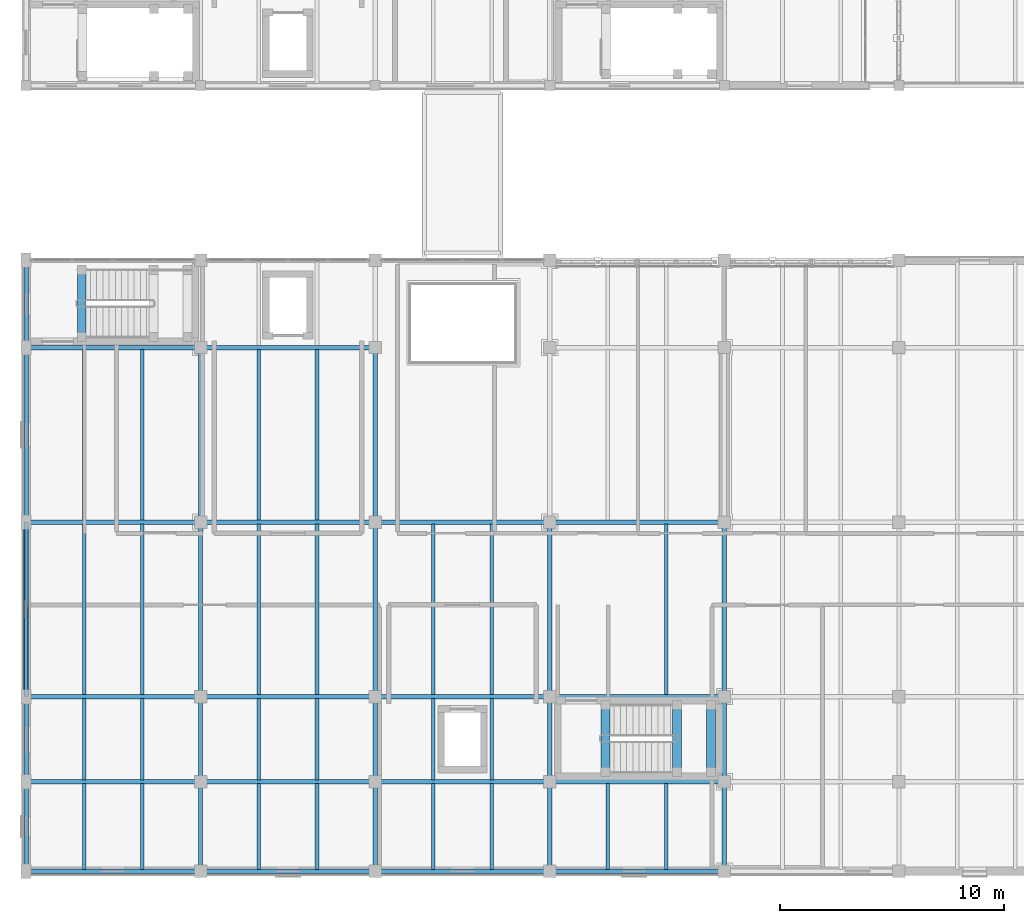
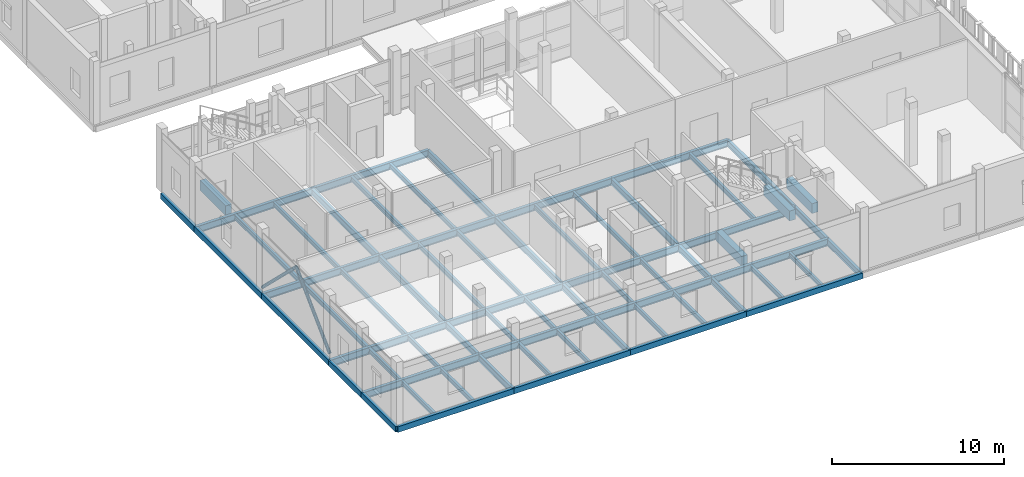
# One storey, part 16 of 119: 66 beams, 2 members.
"""IFC4 building model written with IfcOpenShell, lengths in metres."""

from ifc_helpers import new_model, si_unit, direction, frame, origin, origin_2d, place, context, subcontext, project, spatial, rectangle, hollow_rectangle, hollow_circle, i_section, extrude, material, material_profile, profile_set, type_object, element, save


model = new_model("IFC4")

# Units and contexts
model_context = context("Model", 3, precision=1e-05, world=origin(), true_north=direction((0.0, 1.0)))
body_context = subcontext(model_context, "Body", "Model", "MODEL_VIEW")
ifc_project = project(units=[si_unit("LENGTHUNIT", "METRE"), si_unit("AREAUNIT", "SQUARE_METRE"), si_unit("VOLUMEUNIT", "CUBIC_METRE"), si_unit("PLANEANGLEUNIT", "RADIAN"), si_unit("MASSUNIT", "GRAM", prefix="KILO")], contexts=[model_context])

# Site, building, storey
site_placement = place(None, origin())
site = spatial("IfcSite", under=ifc_project, at=site_placement, CompositionType="ELEMENT")
building_placement = place(site_placement, origin())
building = spatial("IfcBuilding", under=site, at=building_placement, Name="Celorna Specialist Clinic", CompositionType="ELEMENT")
storey_placement = place(building_placement, frame((0.0, 0.0, 9.60009765625)))
storey = spatial("IfcBuildingStorey", under=building, at=storey_placement, Name="L02", CompositionType="ELEMENT", Elevation=9.60009765625)

# Beams
ifc_material_1 = material(Name="Steel S355", Category="steel")
ifc_material_profile_1 = material_profile(ifc_material_1, i_section(OverallWidth=0.199951171875, OverallDepth=0.5, WebThickness=0.01025390625, FlangeThickness=0.01611328125, at=origin_2d()), Name="IPE 500")
ifc_profile_set_1 = profile_set([ifc_material_profile_1], Name="Steel S355")
beam_type_1 = type_object("IfcBeamType", Name="BM-08", PredefinedType="BEAM", material=ifc_profile_set_1)
for number, where, z_axis, x_axis, name in (
    (1, (0.0, 4.0, -0.510009765625), (1.0, 0.0, 0.0), (0.0, 1.0, 0.0), "Primary girder BM-08 #1710"),
    (2, (7.800048828125, 4.0, -0.510009765625), (1.0, 0.0, 0.0), (0.0, 1.0, 0.0), "Primary girder BM-08 #1711"),
):
    element("IfcBeam", number, at=place(storey_placement, frame(where, z_axis=z_axis, x_axis=x_axis)), inside=storey, type_object=beam_type_1, Name=name, PredefinedType="BEAM", context=body_context, shape_type="SweptSolid", body=[
        extrude(i_section(OverallWidth=0.199951171875, OverallDepth=0.5, WebThickness=0.01025390625, FlangeThickness=0.01611328125, at=origin_2d()), origin(), (0.0, 0.0, 1.0), 7.800048828125),
    ])
beam_1_placement = place(storey_placement, frame((15.60009765625, 4.0, -0.510009765625), z_axis=(1.0, 0.0, 0.0), x_axis=(0.0, 1.0, 0.0)))
element("IfcBeam", 3, at=beam_1_placement, inside=storey, type_object=beam_type_1, Name="Primary girder BM-08 #1712", PredefinedType="BEAM", context=body_context, shape_type="SweptSolid", body=[
    extrude(i_section(OverallWidth=0.199951171875, OverallDepth=0.5, WebThickness=0.01025390625, FlangeThickness=0.01611328125, at=origin_2d()), origin(), (0.0, 0.0, 1.0), 7.7998046875),
])
for number, where, z_axis, x_axis, name in (
    (4, (23.39990234375, 4.0, -0.510009765625), (1.0, 0.0, 0.0), (0.0, 1.0, 0.0), "Primary girder BM-08 #1713"),
    (5, (0.0, 7.800048828125, -0.510009765625), (1.0, 0.0, 0.0), (0.0, 1.0, 0.0), "Primary girder BM-08 #1716"),
    (6, (7.800048828125, 7.800048828125, -0.510009765625), (1.0, 0.0, 0.0), (0.0, 1.0, 0.0), "Primary girder BM-08 #1717"),
):
    element("IfcBeam", number, at=place(storey_placement, frame(where, z_axis=z_axis, x_axis=x_axis)), inside=storey, type_object=beam_type_1, Name=name, PredefinedType="BEAM", context=body_context, shape_type="SweptSolid", body=[
        extrude(i_section(OverallWidth=0.199951171875, OverallDepth=0.5, WebThickness=0.01025390625, FlangeThickness=0.01611328125, at=origin_2d()), origin(), (0.0, 0.0, 1.0), 7.800048828125),
    ])
beam_2_placement = place(storey_placement, frame((15.60009765625, 7.800048828125, -0.510009765625), z_axis=(1.0, 0.0, 0.0), x_axis=(0.0, 1.0, 0.0)))
element("IfcBeam", 7, at=beam_2_placement, inside=storey, type_object=beam_type_1, Name="Primary girder BM-08 #1718", PredefinedType="BEAM", context=body_context, shape_type="SweptSolid", body=[
    extrude(i_section(OverallWidth=0.199951171875, OverallDepth=0.5, WebThickness=0.01025390625, FlangeThickness=0.01611328125, at=origin_2d()), origin(), (0.0, 0.0, 1.0), 7.7998046875),
])
for number, where, z_axis, x_axis, name in (
    (8, (23.39990234375, 7.800048828125, -0.510009765625), (1.0, 0.0, 0.0), (0.0, 1.0, 0.0), "Primary girder BM-08 #1719"),
    (9, (0.0, 15.60009765625, -0.510009765625), (1.0, 0.0, 0.0), (0.0, 1.0, 0.0), "Primary girder BM-08 #1722"),
    (10, (7.800048828125, 15.60009765625, -0.510009765625), (1.0, 0.0, 0.0), (0.0, 1.0, 0.0), "Primary girder BM-08 #1723"),
):
    element("IfcBeam", number, at=place(storey_placement, frame(where, z_axis=z_axis, x_axis=x_axis)), inside=storey, type_object=beam_type_1, Name=name, PredefinedType="BEAM", context=body_context, shape_type="SweptSolid", body=[
        extrude(i_section(OverallWidth=0.199951171875, OverallDepth=0.5, WebThickness=0.01025390625, FlangeThickness=0.01611328125, at=origin_2d()), origin(), (0.0, 0.0, 1.0), 7.800048828125),
    ])
beam_3_placement = place(storey_placement, frame((15.60009765625, 15.60009765625, -0.510009765625), z_axis=(1.0, 0.0, 0.0), x_axis=(0.0, 1.0, 0.0)))
element("IfcBeam", 11, at=beam_3_placement, inside=storey, type_object=beam_type_1, Name="Primary girder BM-08 #1724", PredefinedType="BEAM", context=body_context, shape_type="SweptSolid", body=[
    extrude(i_section(OverallWidth=0.199951171875, OverallDepth=0.5, WebThickness=0.01025390625, FlangeThickness=0.01611328125, at=origin_2d()), origin(), (0.0, 0.0, 1.0), 7.7998046875),
])
for number, where, z_axis, x_axis, name in (
    (12, (23.39990234375, 15.60009765625, -0.510009765625), (1.0, 0.0, 0.0), (0.0, 1.0, 0.0), "Primary girder BM-08 #1725"),
    (13, (0.0, 23.39990234375, -0.510009765625), (1.0, 0.0, 0.0), (0.0, 1.0, 0.0), "Primary girder BM-08 #1728"),
    (14, (7.800048828125, 23.39990234375, -0.510009765625), (1.0, 0.0, 0.0), (0.0, 1.0, 0.0), "Primary girder BM-08 #1729"),
):
    element("IfcBeam", number, at=place(storey_placement, frame(where, z_axis=z_axis, x_axis=x_axis)), inside=storey, type_object=beam_type_1, Name=name, PredefinedType="BEAM", context=body_context, shape_type="SweptSolid", body=[
        extrude(i_section(OverallWidth=0.199951171875, OverallDepth=0.5, WebThickness=0.01025390625, FlangeThickness=0.01611328125, at=origin_2d()), origin(), (0.0, 0.0, 1.0), 7.800048828125),
    ])
ifc_material_profile_2 = material_profile(ifc_material_1, i_section(OverallWidth=0.18994140625, OverallDepth=0.449951171875, WebThickness=0.009521484375, FlangeThickness=0.0146484375, at=origin_2d()), Name="IPE 450")
ifc_profile_set_2 = profile_set([ifc_material_profile_2], Name="Steel S355")
beam_type_2 = type_object("IfcBeamType", Name="BM-09", PredefinedType="BEAM", material=ifc_profile_set_2)
beam_4_placement = place(storey_placement, frame((7.800048828125, 0.0, -0.485107421875), z_axis=(0.0, 1.0, 0.0), x_axis=(-1.0, 0.0, 0.0)))
element("IfcBeam", 15, at=beam_4_placement, inside=storey, type_object=beam_type_2, Name="Transverse girder BM-09 #1744", PredefinedType="BEAM", context=body_context, shape_type="SweptSolid", body=[
    extrude(i_section(OverallWidth=0.18994140625, OverallDepth=0.449951171875, WebThickness=0.009521484375, FlangeThickness=0.0146484375, at=origin_2d()), origin(), (0.0, 0.0, 1.0), 4.0),
])
beam_5_placement = place(storey_placement, frame((7.800048828125, 4.0, -0.485107421875), z_axis=(0.0, 1.0, 0.0), x_axis=(-1.0, 0.0, 0.0)))
element("IfcBeam", 16, at=beam_5_placement, inside=storey, type_object=beam_type_2, Name="Transverse girder BM-09 #1745", PredefinedType="BEAM", context=body_context, shape_type="SweptSolid", body=[
    extrude(i_section(OverallWidth=0.18994140625, OverallDepth=0.449951171875, WebThickness=0.009521484375, FlangeThickness=0.0146484375, at=origin_2d()), origin(), (0.0, 0.0, 1.0), 3.800048828125),
])
beam_6_placement = place(storey_placement, frame((7.800048828125, 7.800048828125, -0.485107421875), z_axis=(0.0, 1.0, 0.0), x_axis=(-1.0, 0.0, 0.0)))
element("IfcBeam", 17, at=beam_6_placement, inside=storey, type_object=beam_type_2, Name="Transverse girder BM-09 #1746", PredefinedType="BEAM", context=body_context, shape_type="SweptSolid", body=[
    extrude(i_section(OverallWidth=0.18994140625, OverallDepth=0.449951171875, WebThickness=0.009521484375, FlangeThickness=0.0146484375, at=origin_2d()), origin(), (0.0, 0.0, 1.0), 7.800048828125),
])
beam_7_placement = place(storey_placement, frame((7.800048828125, 15.60009765625, -0.485107421875), z_axis=(0.0, 1.0, 0.0), x_axis=(-1.0, 0.0, 0.0)))
element("IfcBeam", 18, at=beam_7_placement, inside=storey, type_object=beam_type_2, Name="Transverse girder BM-09 #1747", PredefinedType="BEAM", context=body_context, shape_type="SweptSolid", body=[
    extrude(i_section(OverallWidth=0.18994140625, OverallDepth=0.449951171875, WebThickness=0.009521484375, FlangeThickness=0.0146484375, at=origin_2d()), origin(), (0.0, 0.0, 1.0), 7.7998046875),
])
beam_8_placement = place(storey_placement, frame((15.60009765625, 0.0, -0.485107421875), z_axis=(0.0, 1.0, 0.0), x_axis=(-1.0, 0.0, 0.0)))
element("IfcBeam", 19, at=beam_8_placement, inside=storey, type_object=beam_type_2, Name="Transverse girder BM-09 #1749", PredefinedType="BEAM", context=body_context, shape_type="SweptSolid", body=[
    extrude(i_section(OverallWidth=0.18994140625, OverallDepth=0.449951171875, WebThickness=0.009521484375, FlangeThickness=0.0146484375, at=origin_2d()), origin(), (0.0, 0.0, 1.0), 4.0),
])
beam_9_placement = place(storey_placement, frame((15.60009765625, 4.0, -0.485107421875), z_axis=(0.0, 1.0, 0.0), x_axis=(-1.0, 0.0, 0.0)))
element("IfcBeam", 20, at=beam_9_placement, inside=storey, type_object=beam_type_2, Name="Transverse girder BM-09 #1750", PredefinedType="BEAM", context=body_context, shape_type="SweptSolid", body=[
    extrude(i_section(OverallWidth=0.18994140625, OverallDepth=0.449951171875, WebThickness=0.009521484375, FlangeThickness=0.0146484375, at=origin_2d()), origin(), (0.0, 0.0, 1.0), 3.800048828125),
])
beam_10_placement = place(storey_placement, frame((15.60009765625, 7.800048828125, -0.485107421875), z_axis=(0.0, 1.0, 0.0), x_axis=(-1.0, 0.0, 0.0)))
element("IfcBeam", 21, at=beam_10_placement, inside=storey, type_object=beam_type_2, Name="Transverse girder BM-09 #1751", PredefinedType="BEAM", context=body_context, shape_type="SweptSolid", body=[
    extrude(i_section(OverallWidth=0.18994140625, OverallDepth=0.449951171875, WebThickness=0.009521484375, FlangeThickness=0.0146484375, at=origin_2d()), origin(), (0.0, 0.0, 1.0), 7.800048828125),
])
beam_11_placement = place(storey_placement, frame((15.60009765625, 15.60009765625, -0.485107421875), z_axis=(0.0, 1.0, 0.0), x_axis=(-1.0, 0.0, 0.0)))
element("IfcBeam", 22, at=beam_11_placement, inside=storey, type_object=beam_type_2, Name="Transverse girder BM-09 #1752", PredefinedType="BEAM", context=body_context, shape_type="SweptSolid", body=[
    extrude(i_section(OverallWidth=0.18994140625, OverallDepth=0.449951171875, WebThickness=0.009521484375, FlangeThickness=0.0146484375, at=origin_2d()), origin(), (0.0, 0.0, 1.0), 7.7998046875),
])
beam_12_placement = place(storey_placement, frame((23.39990234375, 0.0, -0.485107421875), z_axis=(0.0, 1.0, 0.0), x_axis=(-1.0, 0.0, 0.0)))
element("IfcBeam", 23, at=beam_12_placement, inside=storey, type_object=beam_type_2, Name="Transverse girder BM-09 #1754", PredefinedType="BEAM", context=body_context, shape_type="SweptSolid", body=[
    extrude(i_section(OverallWidth=0.18994140625, OverallDepth=0.449951171875, WebThickness=0.009521484375, FlangeThickness=0.0146484375, at=origin_2d()), origin(), (0.0, 0.0, 1.0), 4.0),
])
beam_13_placement = place(storey_placement, frame((23.39990234375, 4.0, -0.485107421875), z_axis=(0.0, 1.0, 0.0), x_axis=(-1.0, 0.0, 0.0)))
element("IfcBeam", 24, at=beam_13_placement, inside=storey, type_object=beam_type_2, Name="Transverse girder BM-09 #1755", PredefinedType="BEAM", context=body_context, shape_type="SweptSolid", body=[
    extrude(i_section(OverallWidth=0.18994140625, OverallDepth=0.449951171875, WebThickness=0.009521484375, FlangeThickness=0.0146484375, at=origin_2d()), origin(), (0.0, 0.0, 1.0), 3.800048828125),
])
beam_14_placement = place(storey_placement, frame((23.39990234375, 7.800048828125, -0.485107421875), z_axis=(0.0, 1.0, 0.0), x_axis=(-1.0, 0.0, 0.0)))
element("IfcBeam", 25, at=beam_14_placement, inside=storey, type_object=beam_type_2, Name="Transverse girder BM-09 #1756", PredefinedType="BEAM", context=body_context, shape_type="SweptSolid", body=[
    extrude(i_section(OverallWidth=0.18994140625, OverallDepth=0.449951171875, WebThickness=0.009521484375, FlangeThickness=0.0146484375, at=origin_2d()), origin(), (0.0, 0.0, 1.0), 7.800048828125),
])
beam_15_placement = place(storey_placement, frame((31.199951171875, 0.0, -0.485107421875), z_axis=(0.0, 1.0, 0.0), x_axis=(-1.0, 0.0, 0.0)))
element("IfcBeam", 26, at=beam_15_placement, inside=storey, type_object=beam_type_2, Name="Transverse girder BM-09 #1759", PredefinedType="BEAM", context=body_context, shape_type="SweptSolid", body=[
    extrude(i_section(OverallWidth=0.18994140625, OverallDepth=0.449951171875, WebThickness=0.009521484375, FlangeThickness=0.0146484375, at=origin_2d()), origin(), (0.0, 0.0, 1.0), 4.0),
])
beam_16_placement = place(storey_placement, frame((31.199951171875, 4.0, -0.485107421875), z_axis=(0.0, 1.0, 0.0), x_axis=(-1.0, 0.0, 0.0)))
element("IfcBeam", 27, at=beam_16_placement, inside=storey, type_object=beam_type_2, Name="Transverse girder BM-09 #1760", PredefinedType="BEAM", context=body_context, shape_type="SweptSolid", body=[
    extrude(i_section(OverallWidth=0.18994140625, OverallDepth=0.449951171875, WebThickness=0.009521484375, FlangeThickness=0.0146484375, at=origin_2d()), origin(), (0.0, 0.0, 1.0), 3.800048828125),
])
beam_17_placement = place(storey_placement, frame((31.199951171875, 7.800048828125, -0.485107421875), z_axis=(0.0, 1.0, 0.0), x_axis=(-1.0, 0.0, 0.0)))
element("IfcBeam", 28, at=beam_17_placement, inside=storey, type_object=beam_type_2, Name="Transverse girder BM-09 #1761", PredefinedType="BEAM", context=body_context, shape_type="SweptSolid", body=[
    extrude(i_section(OverallWidth=0.18994140625, OverallDepth=0.449951171875, WebThickness=0.009521484375, FlangeThickness=0.0146484375, at=origin_2d()), origin(), (0.0, 0.0, 1.0), 7.800048828125),
])
ifc_material_profile_3 = material_profile(ifc_material_1, i_section(OverallWidth=0.159912109375, OverallDepth=0.330078125, WebThickness=0.007568359375, FlangeThickness=0.011474609375, at=origin_2d()), Name="IPE 330")
ifc_profile_set_3 = profile_set([ifc_material_profile_3], Name="Steel S355")
beam_type_3 = type_object("IfcBeamType", Name="BM-12", PredefinedType="JOIST", material=ifc_profile_set_3)
for number, where, z_axis, x_axis, name in (
    (29, (2.60009765625, 0.087890625, -0.425048828125), (0.0, 1.0, 0.0), (-1.0, 0.0, 0.0), "Secondary floor joist BM-12 #1774"),
    (30, (5.199951171875, 0.087890625, -0.425048828125), (0.0, 1.0, 0.0), (-1.0, 0.0, 0.0), "Secondary floor joist BM-12 #1775"),
):
    element("IfcBeam", number, at=place(storey_placement, frame(where, z_axis=z_axis, x_axis=x_axis)), inside=storey, type_object=beam_type_3, Name=name, PredefinedType="JOIST", context=body_context, shape_type="SweptSolid", body=[
        extrude(i_section(OverallWidth=0.159912109375, OverallDepth=0.330078125, WebThickness=0.007568359375, FlangeThickness=0.011474609375, at=origin_2d()), origin(), (0.0, 0.0, 1.0), 3.82421875),
    ])
for number, where, z_axis, x_axis, name in (
    (31, (2.60009765625, 4.087890625, -0.425048828125), (0.0, 1.0, 0.0), (-1.0, 0.0, 0.0), "Secondary floor joist BM-12 #1776"),
    (32, (5.199951171875, 4.087890625, -0.425048828125), (0.0, 1.0, 0.0), (-1.0, 0.0, 0.0), "Secondary floor joist BM-12 #1777"),
):
    element("IfcBeam", number, at=place(storey_placement, frame(where, z_axis=z_axis, x_axis=x_axis)), inside=storey, type_object=beam_type_3, Name=name, PredefinedType="JOIST", context=body_context, shape_type="SweptSolid", body=[
        extrude(i_section(OverallWidth=0.159912109375, OverallDepth=0.330078125, WebThickness=0.007568359375, FlangeThickness=0.011474609375, at=origin_2d()), origin(), (0.0, 0.0, 1.0), 3.6240234375),
    ])
for number, where, z_axis, x_axis, name in (
    (33, (2.60009765625, 7.887939453125, -0.425048828125), (0.0, 1.0, 0.0), (-1.0, 0.0, 0.0), "Secondary floor joist BM-12 #1778"),
    (34, (5.199951171875, 7.887939453125, -0.425048828125), (0.0, 1.0, 0.0), (-1.0, 0.0, 0.0), "Secondary floor joist BM-12 #1779"),
    (35, (2.60009765625, 15.68798828125, -0.425048828125), (0.0, 1.0, 0.0), (-1.0, 0.0, 0.0), "Secondary floor joist BM-12 #1780"),
    (36, (5.199951171875, 15.68798828125, -0.425048828125), (0.0, 1.0, 0.0), (-1.0, 0.0, 0.0), "Secondary floor joist BM-12 #1781"),
):
    element("IfcBeam", number, at=place(storey_placement, frame(where, z_axis=z_axis, x_axis=x_axis)), inside=storey, type_object=beam_type_3, Name=name, PredefinedType="JOIST", context=body_context, shape_type="SweptSolid", body=[
        extrude(i_section(OverallWidth=0.159912109375, OverallDepth=0.330078125, WebThickness=0.007568359375, FlangeThickness=0.011474609375, at=origin_2d()), origin(), (0.0, 0.0, 1.0), 7.6240234375),
    ])
for number, where, z_axis, x_axis, name in (
    (37, (10.39990234375, 0.087890625, -0.425048828125), (0.0, 1.0, 0.0), (-1.0, 0.0, 0.0), "Secondary floor joist BM-12 #1782"),
    (38, (13.0, 0.087890625, -0.425048828125), (0.0, 1.0, 0.0), (-1.0, 0.0, 0.0), "Secondary floor joist BM-12 #1783"),
):
    element("IfcBeam", number, at=place(storey_placement, frame(where, z_axis=z_axis, x_axis=x_axis)), inside=storey, type_object=beam_type_3, Name=name, PredefinedType="JOIST", context=body_context, shape_type="SweptSolid", body=[
        extrude(i_section(OverallWidth=0.159912109375, OverallDepth=0.330078125, WebThickness=0.007568359375, FlangeThickness=0.011474609375, at=origin_2d()), origin(), (0.0, 0.0, 1.0), 3.82421875),
    ])
for number, where, z_axis, x_axis, name in (
    (39, (10.39990234375, 4.087890625, -0.425048828125), (0.0, 1.0, 0.0), (-1.0, 0.0, 0.0), "Secondary floor joist BM-12 #1784"),
    (40, (13.0, 4.087890625, -0.425048828125), (0.0, 1.0, 0.0), (-1.0, 0.0, 0.0), "Secondary floor joist BM-12 #1785"),
):
    element("IfcBeam", number, at=place(storey_placement, frame(where, z_axis=z_axis, x_axis=x_axis)), inside=storey, type_object=beam_type_3, Name=name, PredefinedType="JOIST", context=body_context, shape_type="SweptSolid", body=[
        extrude(i_section(OverallWidth=0.159912109375, OverallDepth=0.330078125, WebThickness=0.007568359375, FlangeThickness=0.011474609375, at=origin_2d()), origin(), (0.0, 0.0, 1.0), 3.6240234375),
    ])
for number, where, z_axis, x_axis, name in (
    (41, (10.39990234375, 7.887939453125, -0.425048828125), (0.0, 1.0, 0.0), (-1.0, 0.0, 0.0), "Secondary floor joist BM-12 #1786"),
    (42, (13.0, 7.887939453125, -0.425048828125), (0.0, 1.0, 0.0), (-1.0, 0.0, 0.0), "Secondary floor joist BM-12 #1787"),
    (43, (10.39990234375, 15.68798828125, -0.425048828125), (0.0, 1.0, 0.0), (-1.0, 0.0, 0.0), "Secondary floor joist BM-12 #1788"),
    (44, (13.0, 15.68798828125, -0.425048828125), (0.0, 1.0, 0.0), (-1.0, 0.0, 0.0), "Secondary floor joist BM-12 #1789"),
):
    element("IfcBeam", number, at=place(storey_placement, frame(where, z_axis=z_axis, x_axis=x_axis)), inside=storey, type_object=beam_type_3, Name=name, PredefinedType="JOIST", context=body_context, shape_type="SweptSolid", body=[
        extrude(i_section(OverallWidth=0.159912109375, OverallDepth=0.330078125, WebThickness=0.007568359375, FlangeThickness=0.011474609375, at=origin_2d()), origin(), (0.0, 0.0, 1.0), 7.6240234375),
    ])
for number, where, z_axis, x_axis, name in (
    (45, (18.199951171875, 0.087890625, -0.425048828125), (0.0, 1.0, 0.0), (-1.0, 0.0, 0.0), "Secondary floor joist BM-12 #1792"),
    (46, (20.800048828125, 0.087890625, -0.425048828125), (0.0, 1.0, 0.0), (-1.0, 0.0, 0.0), "Secondary floor joist BM-12 #1793"),
):
    element("IfcBeam", number, at=place(storey_placement, frame(where, z_axis=z_axis, x_axis=x_axis)), inside=storey, type_object=beam_type_3, Name=name, PredefinedType="JOIST", context=body_context, shape_type="SweptSolid", body=[
        extrude(i_section(OverallWidth=0.159912109375, OverallDepth=0.330078125, WebThickness=0.007568359375, FlangeThickness=0.011474609375, at=origin_2d()), origin(), (0.0, 0.0, 1.0), 3.82421875),
    ])
for number, where, z_axis, x_axis, name in (
    (47, (18.199951171875, 4.087890625, -0.425048828125), (0.0, 1.0, 0.0), (-1.0, 0.0, 0.0), "Secondary floor joist BM-12 #1794"),
    (48, (20.800048828125, 4.087890625, -0.425048828125), (0.0, 1.0, 0.0), (-1.0, 0.0, 0.0), "Secondary floor joist BM-12 #1795"),
):
    element("IfcBeam", number, at=place(storey_placement, frame(where, z_axis=z_axis, x_axis=x_axis)), inside=storey, type_object=beam_type_3, Name=name, PredefinedType="JOIST", context=body_context, shape_type="SweptSolid", body=[
        extrude(i_section(OverallWidth=0.159912109375, OverallDepth=0.330078125, WebThickness=0.007568359375, FlangeThickness=0.011474609375, at=origin_2d()), origin(), (0.0, 0.0, 1.0), 3.6240234375),
    ])
for number, where, z_axis, x_axis, name in (
    (49, (18.199951171875, 7.887939453125, -0.425048828125), (0.0, 1.0, 0.0), (-1.0, 0.0, 0.0), "Secondary floor joist BM-12 #1796"),
    (50, (20.800048828125, 7.887939453125, -0.425048828125), (0.0, 1.0, 0.0), (-1.0, 0.0, 0.0), "Secondary floor joist BM-12 #1797"),
):
    element("IfcBeam", number, at=place(storey_placement, frame(where, z_axis=z_axis, x_axis=x_axis)), inside=storey, type_object=beam_type_3, Name=name, PredefinedType="JOIST", context=body_context, shape_type="SweptSolid", body=[
        extrude(i_section(OverallWidth=0.159912109375, OverallDepth=0.330078125, WebThickness=0.007568359375, FlangeThickness=0.011474609375, at=origin_2d()), origin(), (0.0, 0.0, 1.0), 7.6240234375),
    ])
for number, where, z_axis, x_axis, name in (
    (51, (26.0, 0.087890625, -0.425048828125), (0.0, 1.0, 0.0), (-1.0, 0.0, 0.0), "Secondary floor joist BM-12 #1798"),
    (52, (28.60009765625, 0.087890625, -0.425048828125), (0.0, 1.0, 0.0), (-1.0, 0.0, 0.0), "Secondary floor joist BM-12 #1799"),
):
    element("IfcBeam", number, at=place(storey_placement, frame(where, z_axis=z_axis, x_axis=x_axis)), inside=storey, type_object=beam_type_3, Name=name, PredefinedType="JOIST", context=body_context, shape_type="SweptSolid", body=[
        extrude(i_section(OverallWidth=0.159912109375, OverallDepth=0.330078125, WebThickness=0.007568359375, FlangeThickness=0.011474609375, at=origin_2d()), origin(), (0.0, 0.0, 1.0), 3.82421875),
    ])
beam_18_placement = place(storey_placement, frame((28.60009765625, 7.887939453125, -0.425048828125), z_axis=(0.0, 1.0, 0.0), x_axis=(-1.0, 0.0, 0.0)))
element("IfcBeam", 53, at=beam_18_placement, inside=storey, type_object=beam_type_3, Name="Secondary floor joist BM-12 #1800", PredefinedType="JOIST", context=body_context, shape_type="SweptSolid", body=[
    extrude(i_section(OverallWidth=0.159912109375, OverallDepth=0.330078125, WebThickness=0.007568359375, FlangeThickness=0.011474609375, at=origin_2d()), origin(), (0.0, 0.0, 1.0), 7.6240234375),
])
ifc_material_profile_4 = material_profile(ifc_material_1, hollow_rectangle(XDim=0.199951171875, YDim=0.39990234375, WallThickness=0.011962890625, at=origin_2d()), Name="RHS 200x400x12")
ifc_profile_set_4 = profile_set([ifc_material_profile_4], Name="Steel S355")
beam_type_4 = type_object("IfcBeamType", Name="BM-15", PredefinedType="SPANDREL", material=ifc_profile_set_4)
for number, where, z_axis, x_axis, name in (
    (54, (0.0, 0.0, -0.460205078125), (1.0, 0.0, 0.0), (0.0, 1.0, 0.0), "Spandrel beam BM-15 #1704"),
    (55, (7.800048828125, 0.0, -0.460205078125), (1.0, 0.0, 0.0), (0.0, 1.0, 0.0), "Spandrel beam BM-15 #1705"),
):
    element("IfcBeam", number, at=place(storey_placement, frame(where, z_axis=z_axis, x_axis=x_axis)), inside=storey, type_object=beam_type_4, Name=name, PredefinedType="SPANDREL", context=body_context, shape_type="SweptSolid", body=[
        extrude(hollow_rectangle(XDim=0.199951171875, YDim=0.39990234375, WallThickness=0.011962890625, at=origin_2d()), origin(), (0.0, 0.0, 1.0), 7.800048828125),
    ])
beam_19_placement = place(storey_placement, frame((15.60009765625, 0.0, -0.460205078125), z_axis=(1.0, 0.0, 0.0), x_axis=(0.0, 1.0, 0.0)))
element("IfcBeam", 56, at=beam_19_placement, inside=storey, type_object=beam_type_4, Name="Spandrel beam BM-15 #1706", PredefinedType="SPANDREL", context=body_context, shape_type="SweptSolid", body=[
    extrude(hollow_rectangle(XDim=0.199951171875, YDim=0.39990234375, WallThickness=0.011962890625, at=origin_2d()), origin(), (0.0, 0.0, 1.0), 7.7998046875),
])
beam_20_placement = place(storey_placement, frame((23.39990234375, 0.0, -0.460205078125), z_axis=(1.0, 0.0, 0.0), x_axis=(0.0, 1.0, 0.0)))
element("IfcBeam", 57, at=beam_20_placement, inside=storey, type_object=beam_type_4, Name="Spandrel beam BM-15 #1707", PredefinedType="SPANDREL", context=body_context, shape_type="SweptSolid", body=[
    extrude(hollow_rectangle(XDim=0.199951171875, YDim=0.39990234375, WallThickness=0.011962890625, at=origin_2d()), origin(), (0.0, 0.0, 1.0), 7.800048828125),
])
beam_21_placement = place(storey_placement, frame((0.0, 0.0, -0.460205078125), z_axis=(0.0, 1.0, 0.0), x_axis=(-1.0, 0.0, 0.0)))
element("IfcBeam", 58, at=beam_21_placement, inside=storey, type_object=beam_type_4, Name="Spandrel beam BM-15 #1739", PredefinedType="SPANDREL", context=body_context, shape_type="SweptSolid", body=[
    extrude(hollow_rectangle(XDim=0.199951171875, YDim=0.39990234375, WallThickness=0.011962890625, at=origin_2d()), origin(), (0.0, 0.0, 1.0), 4.0),
])
beam_22_placement = place(storey_placement, frame((0.0, 4.0, -0.460205078125), z_axis=(0.0, 1.0, 0.0), x_axis=(-1.0, 0.0, 0.0)))
element("IfcBeam", 59, at=beam_22_placement, inside=storey, type_object=beam_type_4, Name="Spandrel beam BM-15 #1740", PredefinedType="SPANDREL", context=body_context, shape_type="SweptSolid", body=[
    extrude(hollow_rectangle(XDim=0.199951171875, YDim=0.39990234375, WallThickness=0.011962890625, at=origin_2d()), origin(), (0.0, 0.0, 1.0), 3.800048828125),
])
beam_23_placement = place(storey_placement, frame((0.0, 7.800048828125, -0.460205078125), z_axis=(0.0, 1.0, 0.0), x_axis=(-1.0, 0.0, 0.0)))
element("IfcBeam", 60, at=beam_23_placement, inside=storey, type_object=beam_type_4, Name="Spandrel beam BM-15 #1741", PredefinedType="SPANDREL", context=body_context, shape_type="SweptSolid", body=[
    extrude(hollow_rectangle(XDim=0.199951171875, YDim=0.39990234375, WallThickness=0.011962890625, at=origin_2d()), origin(), (0.0, 0.0, 1.0), 7.800048828125),
])
beam_24_placement = place(storey_placement, frame((0.0, 15.60009765625, -0.460205078125), z_axis=(0.0, 1.0, 0.0), x_axis=(-1.0, 0.0, 0.0)))
element("IfcBeam", 61, at=beam_24_placement, inside=storey, type_object=beam_type_4, Name="Spandrel beam BM-15 #1742", PredefinedType="SPANDREL", context=body_context, shape_type="SweptSolid", body=[
    extrude(hollow_rectangle(XDim=0.199951171875, YDim=0.39990234375, WallThickness=0.011962890625, at=origin_2d()), origin(), (0.0, 0.0, 1.0), 7.7998046875),
])
beam_25_placement = place(storey_placement, frame((0.0, 23.39990234375, -0.460205078125), z_axis=(0.0, 1.0, 0.0), x_axis=(-1.0, 0.0, 0.0)))
element("IfcBeam", 62, at=beam_25_placement, inside=storey, type_object=beam_type_4, Name="Spandrel beam BM-15 #1743", PredefinedType="SPANDREL", context=body_context, shape_type="SweptSolid", body=[
    extrude(hollow_rectangle(XDim=0.199951171875, YDim=0.39990234375, WallThickness=0.011962890625, at=origin_2d()), origin(), (0.0, 0.0, 1.0), 3.900146484375),
])
ifc_material_2 = material(Name="Concrete C35/45", Category="concrete")
ifc_material_profile_5 = material_profile(ifc_material_2, rectangle(XDim=0.39990234375, YDim=0.699951171875, at=origin_2d()), Name="RC 400x700")
ifc_profile_set_5 = profile_set([ifc_material_profile_5], Name="Concrete C35/45")
beam_type_5 = type_object("IfcBeamType", Name="BM-19", PredefinedType="BEAM", material=ifc_profile_set_5)
for number, where, z_axis, x_axis, name in (
    (63, (2.489990234375, 23.8701171875, -0.275146484375), (0.0, 1.0, 0.0), (-1.0, 0.0, 0.0), "Stair ST-04 floor landing trimmer beam L02"),
    (64, (25.889892578125, 4.429931640625, -0.275146484375), (0.0, 1.0, 0.0), (-1.0, 0.0, 0.0), "Stair ST-05 floor landing trimmer beam L02"),
    (65, (29.090087890625, 4.429931640625, 1.824951171875), (0.0, 1.0, 0.0), (-1.0, 0.0, 0.0), "Stair ST-05 half-landing beam L02"),
    (66, (30.610107421875, 4.429931640625, 1.824951171875), (0.0, 1.0, 0.0), (-1.0, 0.0, 0.0), "Stair ST-05 half-landing beam L02"),
):
    element("IfcBeam", number, at=place(storey_placement, frame(where, z_axis=z_axis, x_axis=x_axis)), inside=storey, type_object=beam_type_5, Name=name, PredefinedType="BEAM", context=body_context, shape_type="SweptSolid", body=[
        extrude(rectangle(XDim=0.39990234375, YDim=0.699951171875, at=origin_2d()), origin(), (0.0, 0.0, 1.0), 3.0),
    ])

# Members
ifc_material_profile_6 = material_profile(ifc_material_1, hollow_circle(Radius=0.109619140625, WallThickness=0.012451171875, at=origin_2d()), Name="CHS 219.1x12.5")
ifc_profile_set_6 = profile_set([ifc_material_profile_6], Name="Steel S355")
member_type = type_object("IfcMemberType", Name="MB-07", PredefinedType="BRACE", material=ifc_profile_set_6)
member_1_placement = place(storey_placement, frame((0.0, 7.800048828125, 0.14990234375), z_axis=(0.0, 0.716216371491, 0.697878291114), x_axis=(-1.0, 0.0, 0.0)))
element("IfcMember", 67, at=member_1_placement, inside=storey, type_object=member_type, Name="Lateral chevron brace WP-104-WP-105", PredefinedType="BRACE", context=body_context, shape_type="SweptSolid", body=[
    extrude(hollow_circle(Radius=0.109619140625, WallThickness=0.012451171875, at=origin_2d()), origin(), (0.0, 0.0, 1.0), 5.445068359375),
])
member_2_placement = place(storey_placement, frame((0.0, 15.60009765625, 0.14990234375), z_axis=(0.0, -0.716238207287, 0.69785588084), x_axis=(1.0, 0.0, 0.0)))
element("IfcMember", 68, at=member_2_placement, inside=storey, type_object=member_type, Name="Lateral chevron brace WP-106-WP-105", PredefinedType="BRACE", context=body_context, shape_type="SweptSolid", body=[
    extrude(hollow_circle(Radius=0.109619140625, WallThickness=0.012451171875, at=origin_2d()), origin(), (0.0, 0.0, 1.0), 5.4453125),
])

save(model, "model.ifc")
